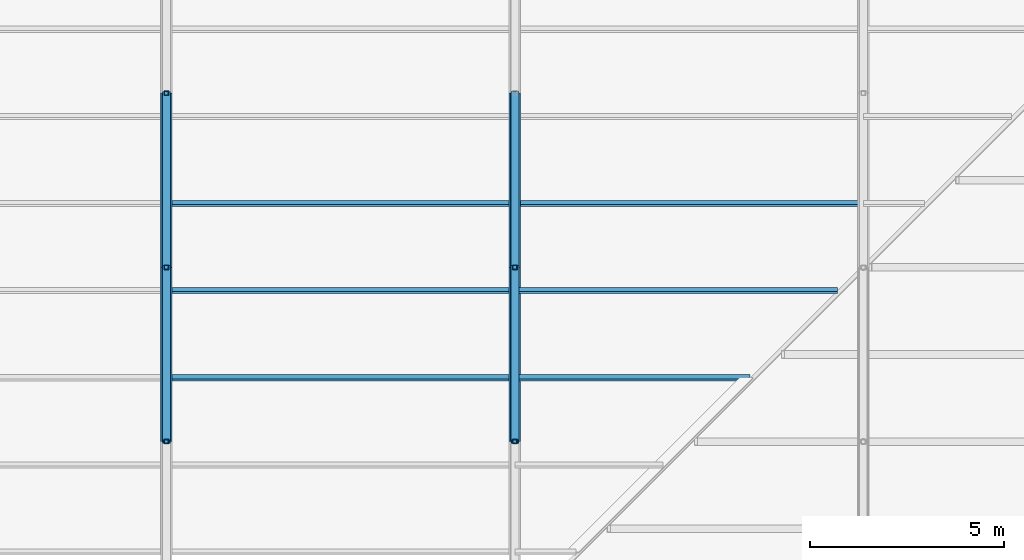
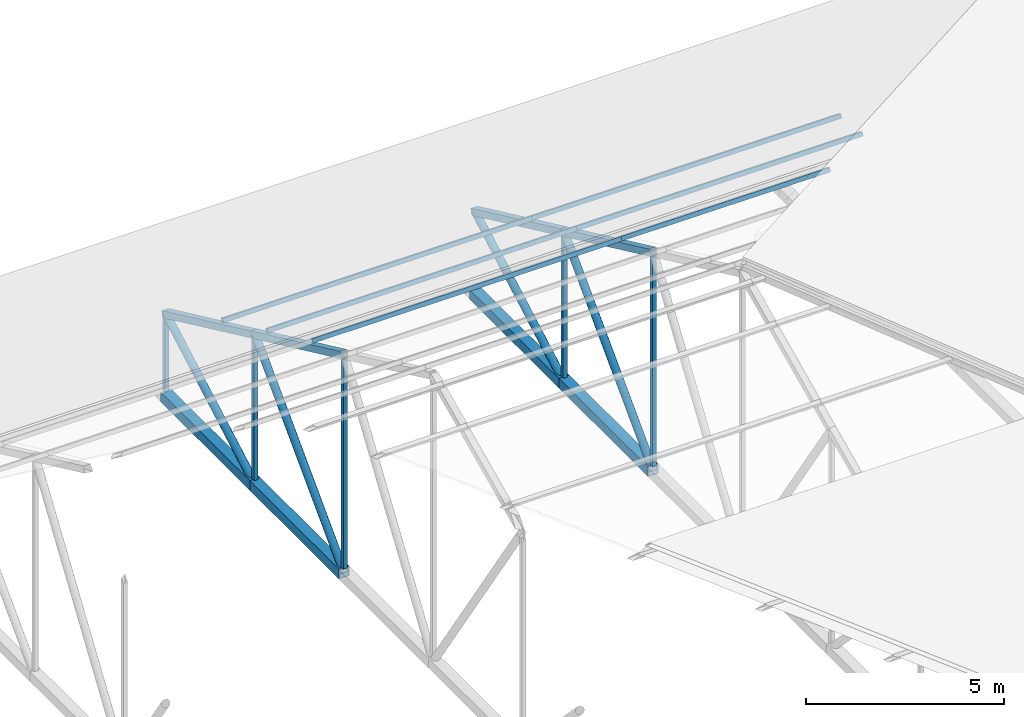
# One storey, part 72 of 154: 23 members.
"""IFC4 building model written with IfcOpenShell, lengths in metres."""

from ifc_helpers import new_model, si_unit, direction, frame, origin, origin_2d, place, context, subcontext, project, spatial, hollow_rectangle, hollow_circle, extrude, material, material_profile, profile_set, type_object, element, save


model = new_model("IFC4")

# Units and contexts
model_context = context("Model", 3, precision=1e-05, world=origin(), true_north=direction((0.0, 1.0)))
body_context = subcontext(model_context, "Body", "Model", "MODEL_VIEW")
ifc_project = project(units=[si_unit("LENGTHUNIT", "METRE"), si_unit("AREAUNIT", "SQUARE_METRE"), si_unit("VOLUMEUNIT", "CUBIC_METRE"), si_unit("PLANEANGLEUNIT", "RADIAN"), si_unit("MASSUNIT", "GRAM", prefix="KILO")], contexts=[model_context])

# Site, building, storey
site_placement = place(None, origin())
site = spatial("IfcSite", under=ifc_project, at=site_placement, CompositionType="ELEMENT")
building_placement = place(site_placement, origin())
building = spatial("IfcBuilding", under=site, at=building_placement, Name="Golden Quay Civic Hall", CompositionType="ELEMENT")
storey_placement = place(building_placement, frame((0.0, 0.0, 14.39990234375)))
storey = spatial("IfcBuildingStorey", under=building, at=storey_placement, Name="L03", CompositionType="ELEMENT", Elevation=14.39990234375)

# Members
ifc_material_1 = material(Name="Steel S355", Category="steel")
ifc_material_profile_1 = material_profile(ifc_material_1, hollow_rectangle(XDim=0.1201171875, YDim=0.1201171875, WallThickness=0.008056640625, at=origin_2d()), Name="SHS 120x120x8")
ifc_profile_set_1 = profile_set([ifc_material_profile_1], Name="Steel S355")
member_type_1 = type_object("IfcMemberType", Name="Steel roof purlin SHS 120x120x8", PredefinedType="PURLIN", material=ifc_profile_set_1)
for number, where, z_axis, x_axis, name in (
    (1, (144.0, 91.64990234375, 3.931884765625), (1.0, 0.0, 0.0), (0.0, 0.906307787037, -0.422618261741), "Purlin north 5-4 L03"),
    (2, (153.0, 91.64990234375, 3.931884765625), (1.0, 0.0, 0.0), (0.0, 0.906307787037, -0.422618261741), "Purlin north 5-5 L03"),
    (3, (144.0, 89.39990234375, 4.981201171875), (1.0, 0.0, 0.0), (0.0, 0.906307787037, -0.422618261741), "Purlin north 6-3 L03"),
):
    element("IfcMember", number, at=place(storey_placement, frame(where, z_axis=z_axis, x_axis=x_axis)), inside=storey, type_object=member_type_1, Name=name, PredefinedType="PURLIN", context=body_context, shape_type="SweptSolid", body=[
        extrude(hollow_rectangle(XDim=0.1201171875, YDim=0.1201171875, WallThickness=0.008056640625, at=origin_2d()), origin(), (0.0, 0.0, 1.0), 9.0),
    ])
member_1_placement = place(storey_placement, frame((153.0, 89.39990234375, 4.981201171875), z_axis=(1.0, 0.0, 0.0), x_axis=(0.0, 0.906307787037, -0.422618261741)))
element("IfcMember", 4, at=member_1_placement, inside=storey, type_object=member_type_1, Name="Purlin north 6-4 L03", PredefinedType="PURLIN", context=body_context, shape_type="SweptSolid", body=[
    extrude(hollow_rectangle(XDim=0.1201171875, YDim=0.1201171875, WallThickness=0.008056640625, at=origin_2d()), origin(), (0.0, 0.0, 1.0), 8.324951171875),
])
member_2_placement = place(storey_placement, frame((144.0, 87.14990234375, 6.0302734375), z_axis=(1.0, 0.0, 0.0), x_axis=(0.0, 0.906307787037, -0.422618261741)))
element("IfcMember", 5, at=member_2_placement, inside=storey, type_object=member_type_1, Name="Purlin north 7-3 L03", PredefinedType="PURLIN", context=body_context, shape_type="SweptSolid", body=[
    extrude(hollow_rectangle(XDim=0.1201171875, YDim=0.1201171875, WallThickness=0.008056640625, at=origin_2d()), origin(), (0.0, 0.0, 1.0), 9.0),
])
member_3_placement = place(storey_placement, frame((153.0, 87.14990234375, 6.0302734375), z_axis=(1.0, 0.0, 0.0), x_axis=(0.0, 0.906307787037, -0.422618261741)))
element("IfcMember", 6, at=member_3_placement, inside=storey, type_object=member_type_1, Name="Purlin north 7-4 L03", PredefinedType="PURLIN", context=body_context, shape_type="SweptSolid", body=[
    extrude(hollow_rectangle(XDim=0.1201171875, YDim=0.1201171875, WallThickness=0.008056640625, at=origin_2d()), origin(), (0.0, 0.0, 1.0), 6.074951171875),
])
ifc_material_2 = material(Name="Steel S355", Category="steel")
ifc_material_profile_2 = material_profile(ifc_material_2, hollow_rectangle(XDim=0.300048828125, YDim=0.300048828125, WallThickness=0.01611328125, at=origin_2d()), Name="SHS 300x300x16")
ifc_profile_set_2 = profile_set([ifc_material_profile_2], Name="Steel S355")
member_type_2 = type_object("IfcMemberType", Name="Steel truss bottom chord SHS 300x300x16", PredefinedType="USERDEFINED", material=ifc_profile_set_2)
for number, where, z_axis, x_axis, name in (
    (7, (144.0, 85.5, -0.099853515625), (0.0, 1.0, 0.0), (-1.0, 0.0, 0.0), "Truss 144 bottom chord 6 L03"),
    (8, (144.0, 90.0, -0.099853515625), (0.0, 1.0, 0.0), (-1.0, 0.0, 0.0), "Truss 144 bottom chord 7 L03"),
    (9, (153.0, 85.5, -0.099853515625), (0.0, 1.0, 0.0), (-1.0, 0.0, 0.0), "Truss 153 bottom chord 6 L03"),
    (10, (153.0, 90.0, -0.099853515625), (0.0, 1.0, 0.0), (-1.0, 0.0, 0.0), "Truss 153 bottom chord 7 L03"),
):
    element("IfcMember", number, at=place(storey_placement, frame(where, z_axis=z_axis, x_axis=x_axis)), inside=storey, type_object=member_type_2, Name=name, ObjectType="TRUSS BOTTOM CHORD", PredefinedType="USERDEFINED", context=body_context, shape_type="SweptSolid", body=[
        extrude(hollow_rectangle(XDim=0.300048828125, YDim=0.300048828125, WallThickness=0.01611328125, at=origin_2d()), origin(), (0.0, 0.0, 1.0), 4.5),
    ])
ifc_material_3 = material(Name="Steel S355", Category="steel")
ifc_material_profile_3 = material_profile(ifc_material_3, hollow_circle(Radius=0.109619140625, WallThickness=0.010009765625, at=origin_2d()), Name="CHS 219.1x10")
ifc_profile_set_3 = profile_set([ifc_material_profile_3], Name="Steel S355")
member_type_3 = type_object("IfcMemberType", Name="Steel truss diagonal CHS 219.1x10", PredefinedType="BRACE", material=ifc_profile_set_3)
member_4_placement = place(storey_placement, frame((144.0, 85.5, -0.099853515625), z_axis=(0.0, 0.697373869939, 0.716707531372), x_axis=(-1.0, 0.0, 0.0)))
element("IfcMember", 11, at=member_4_placement, inside=storey, type_object=member_type_3, Name="Truss 144 diagonal 6 L03", PredefinedType="BRACE", context=body_context, shape_type="SweptSolid", body=[
    extrude(hollow_circle(Radius=0.109619140625, WallThickness=0.010009765625, at=origin_2d()), origin(), (0.0, 0.0, 1.0), 6.452880859375),
])
member_5_placement = place(storey_placement, frame((144.0, 90.0, -0.099853515625), z_axis=(0.0, 0.871979533951, 0.489542329499), x_axis=(-1.0, 0.0, 0.0)))
element("IfcMember", 12, at=member_5_placement, inside=storey, type_object=member_type_3, Name="Truss 144 diagonal 7 L03", PredefinedType="BRACE", context=body_context, shape_type="SweptSolid", body=[
    extrude(hollow_circle(Radius=0.109619140625, WallThickness=0.010009765625, at=origin_2d()), origin(), (0.0, 0.0, 1.0), 5.16064453125),
])
member_6_placement = place(storey_placement, frame((153.0, 85.5, -0.099853515625), z_axis=(0.0, 0.697373869939, 0.716707531372), x_axis=(-1.0, 0.0, 0.0)))
element("IfcMember", 13, at=member_6_placement, inside=storey, type_object=member_type_3, Name="Truss 153 diagonal 6 L03", PredefinedType="BRACE", context=body_context, shape_type="SweptSolid", body=[
    extrude(hollow_circle(Radius=0.109619140625, WallThickness=0.010009765625, at=origin_2d()), origin(), (0.0, 0.0, 1.0), 6.452880859375),
])
member_7_placement = place(storey_placement, frame((153.0, 90.0, -0.099853515625), z_axis=(0.0, 0.871979533951, 0.489542329499), x_axis=(-1.0, 0.0, 0.0)))
element("IfcMember", 14, at=member_7_placement, inside=storey, type_object=member_type_3, Name="Truss 153 diagonal 7 L03", PredefinedType="BRACE", context=body_context, shape_type="SweptSolid", body=[
    extrude(hollow_circle(Radius=0.109619140625, WallThickness=0.010009765625, at=origin_2d()), origin(), (0.0, 0.0, 1.0), 5.16064453125),
])
ifc_material_4 = material(Name="Steel S355", Category="steel")
ifc_material_profile_4 = material_profile(ifc_material_4, hollow_rectangle(XDim=0.1201171875, YDim=0.1201171875, WallThickness=0.008056640625, at=origin_2d()), Name="SHS 120x120x8")
ifc_profile_set_4 = profile_set([ifc_material_profile_4], Name="Steel S355")
member_type_4 = type_object("IfcMemberType", Name="Steel truss post SHS 120x120x8", PredefinedType="USERDEFINED", material=ifc_profile_set_4)
member_8_placement = place(storey_placement, frame((144.0, 85.5, 0.050048828125), z_axis=(0.0, 0.0, 1.0), x_axis=(1.0, 0.0, 0.0)))
element("IfcMember", 15, at=member_8_placement, inside=storey, type_object=member_type_4, Name="Truss 144 post 6 L03", ObjectType="TRUSS POST", PredefinedType="USERDEFINED", context=body_context, shape_type="SweptSolid", body=[
    extrude(hollow_rectangle(XDim=0.1201171875, YDim=0.1201171875, WallThickness=0.008056640625, at=origin_2d()), origin(), (0.0, 0.0, 1.0), 6.462646484375),
])
member_9_placement = place(storey_placement, frame((144.0, 90.0, 0.050048828125), z_axis=(0.0, 0.0, 1.0), x_axis=(1.0, 0.0, 0.0)))
element("IfcMember", 16, at=member_9_placement, inside=storey, type_object=member_type_4, Name="Truss 144 post 7 L03", ObjectType="TRUSS POST", PredefinedType="USERDEFINED", context=body_context, shape_type="SweptSolid", body=[
    extrude(hollow_rectangle(XDim=0.1201171875, YDim=0.1201171875, WallThickness=0.008056640625, at=origin_2d()), origin(), (0.0, 0.0, 1.0), 4.364501953125),
])
member_10_placement = place(storey_placement, frame((144.0, 94.5, 0.050048828125), z_axis=(0.0, 0.0, 1.0), x_axis=(1.0, 0.0, 0.0)))
element("IfcMember", 17, at=member_10_placement, inside=storey, type_object=member_type_4, Name="Truss 144 post 8 L03", ObjectType="TRUSS POST", PredefinedType="USERDEFINED", context=body_context, shape_type="SweptSolid", body=[
    extrude(hollow_rectangle(XDim=0.1201171875, YDim=0.1201171875, WallThickness=0.008056640625, at=origin_2d()), origin(), (0.0, 0.0, 1.0), 2.26611328125),
])
member_11_placement = place(storey_placement, frame((153.0, 85.5, 0.050048828125), z_axis=(0.0, 0.0, 1.0), x_axis=(1.0, 0.0, 0.0)))
element("IfcMember", 18, at=member_11_placement, inside=storey, type_object=member_type_4, Name="Truss 153 post 6 L03", ObjectType="TRUSS POST", PredefinedType="USERDEFINED", context=body_context, shape_type="SweptSolid", body=[
    extrude(hollow_rectangle(XDim=0.1201171875, YDim=0.1201171875, WallThickness=0.008056640625, at=origin_2d()), origin(), (0.0, 0.0, 1.0), 6.462646484375),
])
member_12_placement = place(storey_placement, frame((153.0, 90.0, 0.050048828125), z_axis=(0.0, 0.0, 1.0), x_axis=(1.0, 0.0, 0.0)))
element("IfcMember", 19, at=member_12_placement, inside=storey, type_object=member_type_4, Name="Truss 153 post 7 L03", ObjectType="TRUSS POST", PredefinedType="USERDEFINED", context=body_context, shape_type="SweptSolid", body=[
    extrude(hollow_rectangle(XDim=0.1201171875, YDim=0.1201171875, WallThickness=0.008056640625, at=origin_2d()), origin(), (0.0, 0.0, 1.0), 4.364501953125),
])
ifc_material_5 = material(Name="Steel S355", Category="steel")
ifc_material_profile_5 = material_profile(ifc_material_5, hollow_rectangle(XDim=0.199951171875, YDim=0.199951171875, WallThickness=0.010009765625, at=origin_2d()), Name="SHS 200x200x10")
ifc_profile_set_5 = profile_set([ifc_material_profile_5], Name="Steel S355")
member_type_5 = type_object("IfcMemberType", Name="Steel truss top chord SHS 200x200x10", PredefinedType="USERDEFINED", material=ifc_profile_set_5)
for number, where, z_axis, x_axis, name in (
    (20, (144.0, 85.5, 6.623291015625), (0.0, 0.906307462258, -0.422618958231), (-1.0, 0.0, 0.0), "Truss 144 top chord 7 L03"),
    (21, (144.0, 90.0, 4.52490234375), (0.0, 0.906307462258, -0.422618958231), (-1.0, 0.0, 0.0), "Truss 144 top chord 8 L03"),
    (22, (153.0, 85.5, 6.623291015625), (0.0, 0.906307462258, -0.422618958231), (-1.0, 0.0, 0.0), "Truss 153 top chord 7 L03"),
    (23, (153.0, 90.0, 4.52490234375), (0.0, 0.906307462258, -0.422618958231), (-1.0, 0.0, 0.0), "Truss 153 top chord 8 L03"),
):
    element("IfcMember", number, at=place(storey_placement, frame(where, z_axis=z_axis, x_axis=x_axis)), inside=storey, type_object=member_type_5, Name=name, ObjectType="TRUSS TOP CHORD", PredefinedType="USERDEFINED", context=body_context, shape_type="SweptSolid", body=[
        extrude(hollow_rectangle(XDim=0.199951171875, YDim=0.199951171875, WallThickness=0.010009765625, at=origin_2d()), origin(), (0.0, 0.0, 1.0), 4.965087890625),
    ])

save(model, "model.ifc")
